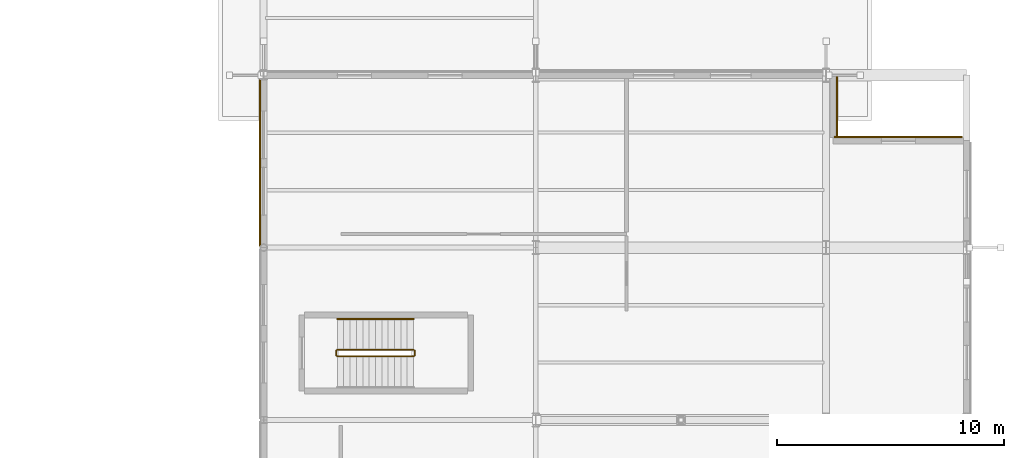
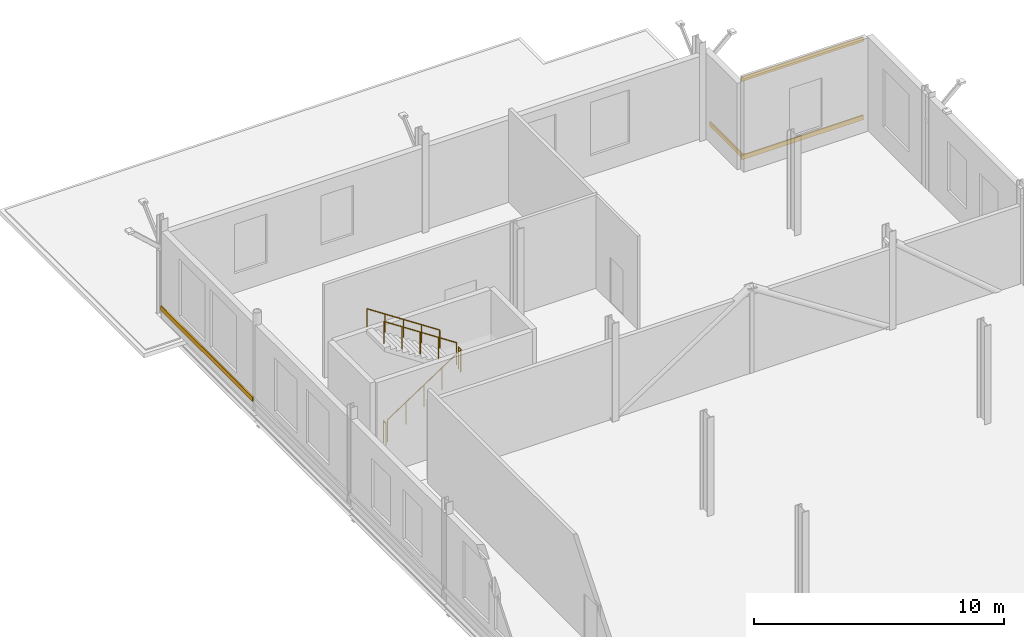
# One storey, part 119 of 120: 5 railings, 4 coverings.
"""IFC4 building model written with IfcOpenShell, lengths in metres."""

from ifc_helpers import new_model, si_unit, direction, frame, origin, origin_2d, place, context, subcontext, project, spatial, rectangle, circle, extrude, material, layer, layer_set, type_object, element, save


model = new_model("IFC4")

# Units and contexts
model_context = context("Model", 3, precision=1e-05, world=origin(), true_north=direction((0.0, 1.0)))
body_context = subcontext(model_context, "Body", "Model", "MODEL_VIEW")
ifc_project = project(units=[si_unit("LENGTHUNIT", "METRE"), si_unit("AREAUNIT", "SQUARE_METRE"), si_unit("VOLUMEUNIT", "CUBIC_METRE"), si_unit("PLANEANGLEUNIT", "RADIAN"), si_unit("MASSUNIT", "GRAM", prefix="KILO")], contexts=[model_context])

# Site, building, storey
site_placement = place(None, origin())
site = spatial("IfcSite", under=ifc_project, at=site_placement, CompositionType="ELEMENT")
building_placement = place(site_placement, origin())
building = spatial("IfcBuilding", under=site, at=building_placement, Name="Vekula Escarpment Museum", CompositionType="ELEMENT")
storey_placement = place(building_placement, frame((0.0, 0.0, 13.199951171875)))
storey = spatial("IfcBuildingStorey", under=building, at=storey_placement, Name="L03", CompositionType="ELEMENT", Elevation=13.199951171875)

# Coverings
ifc_material_1 = material(Name="Polychrome limestone almasik string-course band", Category="masonry")
ifc_layer = layer(ifc_material_1, 0.06005859375)
ifc_layer_set = layer_set([ifc_layer], Name="Polychrome limestone almasik string-course band")
covering_type = type_object("IfcCoveringType", Name="COV-ALM-BAND", PredefinedType="CLADDING", material=ifc_layer_set)
for number, where, z_axis, x_axis, name in (
    (1, (194.98291015625, 125.677978515625, 0.41015625), (0.0, 0.0, 1.0), (1.0, 0.0, 0.0), "Almasik Stone String Course L03-0525"),
    (2, (194.98291015625, 125.677978515625, 4.22998046875), (0.0, 0.0, 1.0), (1.0, 0.0, 0.0), "Almasik Stone String Course L03-0526"),
):
    element("IfcCovering", number, at=place(storey_placement, frame(where, z_axis=z_axis, x_axis=x_axis)), inside=storey, type_object=covering_type, Name=name, PredefinedType="CLADDING", context=body_context, shape_type="SweptSolid", body=[
        extrude(rectangle(XDim=5.6259765625, YDim=0.06005859375, at=origin_2d()), origin(), (0.0, 0.0, 1.0), 0.219970703125),
    ])
covering_1_placement = place(storey_placement, frame((192.27587890625, 127.028076171875, 0.41015625), z_axis=(0.0, 0.0, 1.0), x_axis=(0.0, 1.0, 0.0)))
element("IfcCovering", 3, at=covering_1_placement, inside=storey, type_object=covering_type, Name="Almasik Stone String Course L03-0527", PredefinedType="CLADDING", context=body_context, shape_type="SweptSolid", body=[
    extrude(rectangle(XDim=2.6240234375, YDim=0.06005859375, at=origin_2d()), origin(), (0.0, 0.0, 1.0), 0.219970703125),
])
covering_2_placement = place(storey_placement, frame((166.833984375, 124.528076171875, 0.41015625), z_axis=(0.0, 0.0, 1.0), x_axis=(0.0, 1.0, 0.0)))
element("IfcCovering", 4, at=covering_2_placement, inside=storey, type_object=covering_type, Name="Almasik Stone String Course L03-0530", PredefinedType="CLADDING", context=body_context, shape_type="SweptSolid", body=[
    extrude(rectangle(XDim=7.3359375, YDim=0.06005859375, at=origin_2d()), origin(), (0.0, 0.0, 1.0), 0.219970703125),
])

# Railings
ifc_material_2 = material(Name="Painted Steel S355 stair guard", Category="steel")
railing_type_1 = type_object("IfcRailingType", Name="RL-STAIR-GUARD", PredefinedType="GUARDRAIL", material=ifc_material_2)
railing_1_placement = place(storey_placement, frame((170.25, 116.0, 0.1845703125)))
element("IfcRailing", 5, at=railing_1_placement, inside=storey, type_object=railing_type_1, Name="L03 ST-05 stair guard 1", PredefinedType="GUARDRAIL", context=body_context, shape_type="SweptSolid", body=[
    extrude(circle(Radius=0.02392578125, at=origin_2d()), frame((0.0, 0.0, 1.076171875), z_axis=(0.834848600103, 0.0, 0.550479622607), x_axis=(0.0, 1.0, 0.0)), (0.0, 0.0, 1.0), 4.02490234375),
    extrude(circle(Radius=0.02099609375, at=origin_2d()), origin(), (0.0, 0.0, 1.0), 1.052001953125),
    extrude(circle(Radius=0.02099609375, at=origin_2d()), frame((0.840087890625, 0.0, 0.553955078125)), (0.0, 0.0, 1.0), 1.052001953125),
    extrude(circle(Radius=0.02099609375, at=origin_2d()), frame((1.68017578125, 0.0, 1.10791015625)), (0.0, 0.0, 1.0), 1.052001953125),
    extrude(circle(Radius=0.02099609375, at=origin_2d()), frame((2.52001953125, 0.0, 1.66162109375)), (0.0, 0.0, 1.0), 1.052001953125),
    extrude(circle(Radius=0.02099609375, at=origin_2d()), frame((3.360107421875, 0.0, 2.215576171875)), (0.0, 0.0, 1.0), 1.052001953125),
])
railing_2_placement = place(storey_placement, frame((173.659912109375, 116.050048828125, 2.400146484375)))
element("IfcRailing", 6, at=railing_2_placement, inside=storey, type_object=railing_type_1, Name="L03 ST-05 stair guard 2", PredefinedType="GUARDRAIL", context=body_context, shape_type="SweptSolid", body=[
    extrude(circle(Radius=0.02392578125, at=origin_2d()), frame((0.0, 0.0, 1.076171875), z_axis=(0.0, 1.0, 0.0), x_axis=(-1.0, 0.0, 0.0)), (0.0, 0.0, 1.0), 0.199951171875),
    extrude(circle(Radius=0.02099609375, at=origin_2d()), origin(), (0.0, 0.0, 1.0), 1.052001953125),
    extrude(circle(Radius=0.02099609375, at=origin_2d()), frame((0.0, 0.199951171875, 0.0)), (0.0, 0.0, 1.0), 1.052001953125),
])
railing_3_placement = place(storey_placement, frame((173.610107421875, 116.300048828125, 2.584716796875)))
element("IfcRailing", 7, at=railing_3_placement, inside=storey, type_object=railing_type_1, Name="L03 ST-05 stair guard 3", PredefinedType="GUARDRAIL", context=body_context, shape_type="SweptSolid", body=[
    extrude(circle(Radius=0.02392578125, at=origin_2d()), frame((0.0, 0.0, 1.076171875), z_axis=(-0.834876476806, 0.0, 0.550437342915), x_axis=(0.0, -1.0, 0.0)), (0.0, 0.0, 1.0), 4.024658203125),
    extrude(circle(Radius=0.02099609375, at=origin_2d()), origin(), (0.0, 0.0, 1.0), 1.052001953125),
    extrude(circle(Radius=0.02099609375, at=origin_2d()), frame((-0.840087890625, 0.0, 0.5537109375)), (0.0, 0.0, 1.0), 1.052001953125),
    extrude(circle(Radius=0.02099609375, at=origin_2d()), frame((-1.68017578125, 0.0, 1.107666015625)), (0.0, 0.0, 1.0), 1.052001953125),
    extrude(circle(Radius=0.02099609375, at=origin_2d()), frame((-2.52001953125, 0.0, 1.66162109375)), (0.0, 0.0, 1.0), 1.052001953125),
    extrude(circle(Radius=0.02099609375, at=origin_2d()), frame((-3.360107421875, 0.0, 2.21533203125)), (0.0, 0.0, 1.0), 1.052001953125),
])
railing_4_placement = place(storey_placement, frame((170.199951171875, 116.050048828125, 0.0)))
element("IfcRailing", 8, at=railing_4_placement, inside=storey, type_object=railing_type_1, Name="L03 ST-05 stair guard 4", PredefinedType="GUARDRAIL", context=body_context, shape_type="SweptSolid", body=[
    extrude(circle(Radius=0.02392578125, at=origin_2d()), frame((0.0, 0.0, 1.076171875), z_axis=(0.0, 1.0, 0.0), x_axis=(-1.0, 0.0, 0.0)), (0.0, 0.0, 1.0), 0.199951171875),
    extrude(circle(Radius=0.02099609375, at=origin_2d()), origin(), (0.0, 0.0, 1.0), 1.052001953125),
    extrude(circle(Radius=0.02099609375, at=origin_2d()), frame((0.0, 0.199951171875, 0.0)), (0.0, 0.0, 1.0), 1.052001953125),
])
ifc_material_3 = material(Name="Brushed stainless steel handrail", Category="steel")
railing_type_2 = type_object("IfcRailingType", Name="RL-STAIR-HAND", PredefinedType="HANDRAIL", material=ifc_material_3)
railing_5_placement = place(storey_placement, frame((173.610107421875, 117.64990234375, 2.584716796875)))
element("IfcRailing", 9, at=railing_5_placement, inside=storey, type_object=railing_type_2, Name="L03 ST-05 stair handrail 2", PredefinedType="HANDRAIL", context=body_context, shape_type="SweptSolid", body=[
    extrude(circle(Radius=0.02392578125, at=origin_2d()), frame((0.0, 0.0, 0.8759765625), z_axis=(-0.834876476806, 0.0, 0.550437342915), x_axis=(0.0, -1.0, 0.0)), (0.0, 0.0, 1.0), 4.024658203125),
    extrude(circle(Radius=0.02099609375, at=origin_2d()), origin(), (0.0, 0.0, 1.0), 0.851806640625),
    extrude(circle(Radius=0.02099609375, at=origin_2d()), frame((-0.840087890625, 0.0, 0.5537109375)), (0.0, 0.0, 1.0), 0.851806640625),
    extrude(circle(Radius=0.02099609375, at=origin_2d()), frame((-1.68017578125, 0.0, 1.107666015625)), (0.0, 0.0, 1.0), 0.851806640625),
    extrude(circle(Radius=0.02099609375, at=origin_2d()), frame((-2.52001953125, 0.0, 1.66162109375)), (0.0, 0.0, 1.0), 0.851806640625),
    extrude(circle(Radius=0.02099609375, at=origin_2d()), frame((-3.360107421875, 0.0, 2.21533203125)), (0.0, 0.0, 1.0), 0.851806640625),
])

save(model, "model.ifc")
